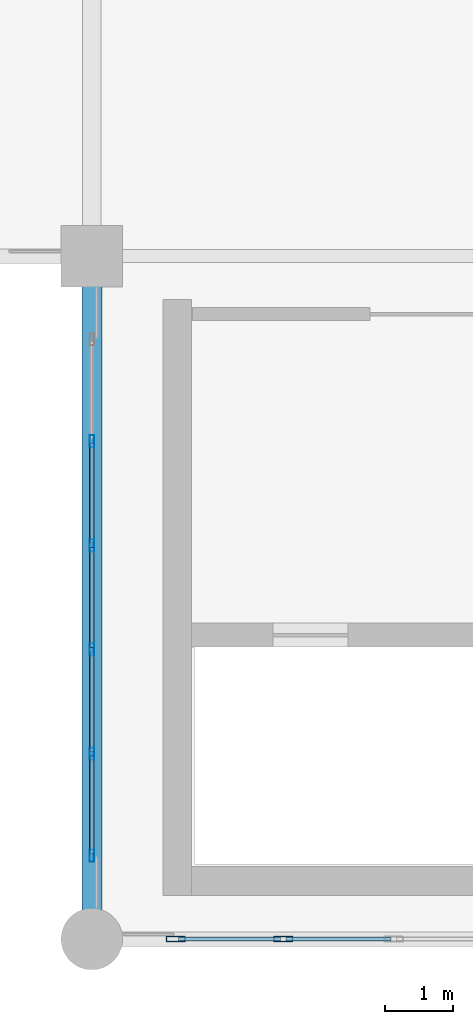
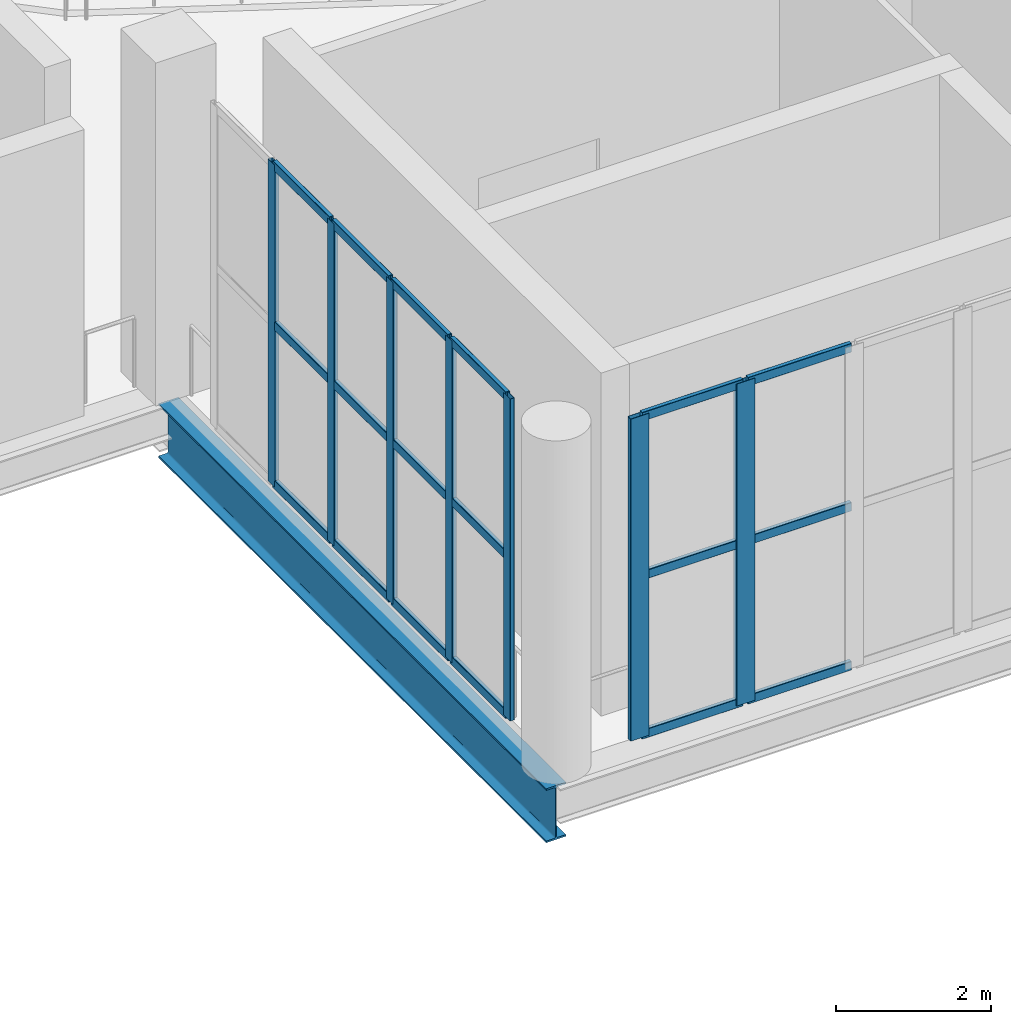
# One storey, part 6 of 74: 25 members, 1 beam, 2 elements without a shape of their own.
"""IFC4 building model written with IfcOpenShell, lengths in metres."""

from ifc_helpers import new_model, si_unit, direction, frame, origin, origin_2d, place, context, subcontext, project, spatial, hollow_rectangle, i_section, extrude, material, layer, layer_set, material_profile, profile_set, type_object, element, aggregate, save


model = new_model("IFC4")

# Units and contexts
model_context = context("Model", 3, precision=1e-05, world=origin(), true_north=direction((0.0, 1.0)))
body_context = subcontext(model_context, "Body", "Model", "MODEL_VIEW")
ifc_project = project(units=[si_unit("LENGTHUNIT", "METRE"), si_unit("AREAUNIT", "SQUARE_METRE"), si_unit("VOLUMEUNIT", "CUBIC_METRE"), si_unit("PLANEANGLEUNIT", "RADIAN"), si_unit("MASSUNIT", "GRAM", prefix="KILO")], contexts=[model_context])

# Site, building, storey
site_placement = place(None, origin())
site = spatial("IfcSite", under=ifc_project, at=site_placement, CompositionType="ELEMENT")
building_placement = place(site_placement, origin())
building = spatial("IfcBuilding", under=site, at=building_placement, Name="Brinegate Civic Arena", CompositionType="ELEMENT")
storey_placement = place(building_placement, frame((0.0, 0.0, 19.199951171875)))
storey = spatial("IfcBuildingStorey", under=building, at=storey_placement, Name="L04", CompositionType="ELEMENT", Elevation=19.199951171875)

# Curtain wall, members
ifc_material_1 = material(Name="Marine grade aluminium", Category="aluminium")
ifc_layer = layer(ifc_material_1, 0.25, Name="Marine grade aluminium")
ifc_layer_set = layer_set([ifc_layer], Name="Marine grade aluminium")
curtain_wall_type = type_object("IfcCurtainWallType", Name="CW-PORTAL-SOUTH-02", PredefinedType="USERDEFINED", material=ifc_layer_set)
curtain_wall_1_placement = place(storey_placement, origin())
curtain_wall_1 = element("IfcCurtainWall", 1, at=curtain_wall_1_placement, inside=storey, type_object=curtain_wall_type, Name="Curtain Wall CWA-150", ObjectType="PORTAL CURTAIN WALL", PredefinedType="USERDEFINED")
ifc_material_profile_1 = material_profile(ifc_material_1, hollow_rectangle(XDim=0.06494140625, YDim=0.179931640625, WallThickness=0.0048828125, InnerFilletRadius=0.00390625, OuterFilletRadius=0.008056640625, at=origin_2d()), Name="MUL65X180")
ifc_profile_set_1 = profile_set([ifc_material_profile_1], Name="Marine grade aluminium")
member_type_1 = type_object("IfcMemberType", Name="CW-MULLION-65X180", PredefinedType="MULLION", material=ifc_profile_set_1)
member_1_placement = place(storey_placement, frame((84.0, 1.218505859375, 0.0), z_axis=(0.0, 0.0, 1.0), x_axis=(-1.0, 0.0, 0.0)))
member_1 = element("IfcMember", 2, at=member_1_placement, type_object=member_type_1, Name="CWA-150 mullion 1", PredefinedType="MULLION", context=body_context, shape_type="SweptSolid", body=[
    extrude(hollow_rectangle(XDim=0.06494140625, YDim=0.179931640625, WallThickness=0.0048828125, InnerFilletRadius=0.00390625, OuterFilletRadius=0.008056640625, at=origin_2d()), origin(), (0.0, 0.0, 1.0), 5.070068359375),
])
member_2_placement = place(storey_placement, frame((84.0, 2.711669921875, 0.0), z_axis=(0.0, 0.0, 1.0), x_axis=(-1.0, 0.0, 0.0)))
member_2 = element("IfcMember", 3, at=member_2_placement, type_object=member_type_1, Name="CWA-150 mullion 2", PredefinedType="MULLION", context=body_context, shape_type="SweptSolid", body=[
    extrude(hollow_rectangle(XDim=0.06494140625, YDim=0.179931640625, WallThickness=0.0048828125, InnerFilletRadius=0.00390625, OuterFilletRadius=0.008056640625, at=origin_2d()), origin(), (0.0, 0.0, 1.0), 5.070068359375),
])
member_3_placement = place(storey_placement, frame((84.0, 4.2373046875, 0.0), z_axis=(0.0, 0.0, 1.0), x_axis=(-1.0, 0.0, 0.0)))
member_3 = element("IfcMember", 4, at=member_3_placement, type_object=member_type_1, Name="CWA-150 mullion 3", PredefinedType="MULLION", context=body_context, shape_type="SweptSolid", body=[
    extrude(hollow_rectangle(XDim=0.06494140625, YDim=0.179931640625, WallThickness=0.0048828125, InnerFilletRadius=0.00390625, OuterFilletRadius=0.008056640625, at=origin_2d()), origin(), (0.0, 0.0, 1.0), 5.070068359375),
])
member_4_placement = place(storey_placement, frame((84.0, 5.7626953125, 0.0), z_axis=(0.0, 0.0, 1.0), x_axis=(-1.0, 0.0, 0.0)))
member_4 = element("IfcMember", 5, at=member_4_placement, type_object=member_type_1, Name="CWA-150 mullion 4", PredefinedType="MULLION", context=body_context, shape_type="SweptSolid", body=[
    extrude(hollow_rectangle(XDim=0.06494140625, YDim=0.179931640625, WallThickness=0.0048828125, InnerFilletRadius=0.00390625, OuterFilletRadius=0.008056640625, at=origin_2d()), origin(), (0.0, 0.0, 1.0), 5.070068359375),
])
member_5_placement = place(storey_placement, frame((84.0, 7.288330078125, 0.0), z_axis=(0.0, 0.0, 1.0), x_axis=(-1.0, 0.0, 0.0)))
member_5 = element("IfcMember", 6, at=member_5_placement, type_object=member_type_1, Name="CWA-150 mullion 5", PredefinedType="MULLION", context=body_context, shape_type="SweptSolid", body=[
    extrude(hollow_rectangle(XDim=0.06494140625, YDim=0.179931640625, WallThickness=0.0048828125, InnerFilletRadius=0.00390625, OuterFilletRadius=0.008056640625, at=origin_2d()), origin(), (0.0, 0.0, 1.0), 5.070068359375),
])

curtain_wall_2_placement = place(storey_placement, origin())
curtain_wall_2 = element("IfcCurtainWall", 7, at=curtain_wall_2_placement, inside=storey, type_object=curtain_wall_type, Name="Curtain Wall CWA-145", ObjectType="PORTAL CURTAIN WALL", PredefinedType="USERDEFINED")
ifc_material_profile_2 = material_profile(ifc_material_1, hollow_rectangle(XDim=0.080078125, YDim=0.280029296875, WallThickness=0.007080078125, InnerFilletRadius=0.0048828125, OuterFilletRadius=0.010009765625, at=origin_2d()), Name="MUL80X280")
ifc_profile_set_2 = profile_set([ifc_material_profile_2], Name="Marine grade aluminium")
member_type_2 = type_object("IfcMemberType", Name="CW-MULLION-80X280", PredefinedType="MULLION", material=ifc_profile_set_2)
member_6_placement = place(storey_placement, frame((85.22607421875, 0.0, 0.0), z_axis=(0.0, 0.0, 1.0), x_axis=(0.0, 1.0, 0.0)))
member_6 = element("IfcMember", 8, at=member_6_placement, type_object=member_type_2, Name="CWA-145 mullion 1", PredefinedType="MULLION", context=body_context, shape_type="SweptSolid", body=[
    extrude(hollow_rectangle(XDim=0.080078125, YDim=0.280029296875, WallThickness=0.007080078125, InnerFilletRadius=0.0048828125, OuterFilletRadius=0.010009765625, at=origin_2d()), origin(), (0.0, 0.0, 1.0), 5.070068359375),
])
member_7_placement = place(storey_placement, frame((86.80224609375, 0.0, 0.0), z_axis=(0.0, 0.0, 1.0), x_axis=(0.0, 1.0, 0.0)))
member_7 = element("IfcMember", 9, at=member_7_placement, type_object=member_type_2, Name="CWA-145 mullion 2", PredefinedType="MULLION", context=body_context, shape_type="SweptSolid", body=[
    extrude(hollow_rectangle(XDim=0.080078125, YDim=0.280029296875, WallThickness=0.007080078125, InnerFilletRadius=0.0048828125, OuterFilletRadius=0.010009765625, at=origin_2d()), origin(), (0.0, 0.0, 1.0), 5.070068359375),
])
ifc_material_profile_3 = material_profile(ifc_material_1, hollow_rectangle(XDim=0.06494140625, YDim=0.139892578125, WallThickness=0.0048828125, InnerFilletRadius=0.00390625, OuterFilletRadius=0.008056640625, at=origin_2d()), Name="TRN65X140")
ifc_profile_set_3 = profile_set([ifc_material_profile_3], Name="Marine grade aluminium")
member_type_3 = type_object("IfcMemberType", Name="CW-TRANSOM-65X140", PredefinedType="USERDEFINED", material=ifc_profile_set_3)
member_8_placement = place(storey_placement, frame((85.26611328125, 0.0, 0.032470703125), z_axis=(1.0, 0.0, 0.0), x_axis=(0.0, 1.0, 0.0)))
member_8 = element("IfcMember", 10, at=member_8_placement, type_object=member_type_3, Name="CWA-145 transom 1.1", ObjectType="TRANSOM", PredefinedType="USERDEFINED", context=body_context, shape_type="SweptSolid", body=[
    extrude(hollow_rectangle(XDim=0.06494140625, YDim=0.139892578125, WallThickness=0.0048828125, InnerFilletRadius=0.00390625, OuterFilletRadius=0.008056640625, at=origin_2d()), origin(), (0.0, 0.0, 1.0), 1.496337890625),
])
member_9_placement = place(storey_placement, frame((85.26611328125, 0.0, 2.53515625), z_axis=(1.0, 0.0, 0.0), x_axis=(0.0, 1.0, 0.0)))
member_9 = element("IfcMember", 11, at=member_9_placement, type_object=member_type_3, Name="CWA-145 transom 1.2", ObjectType="TRANSOM", PredefinedType="USERDEFINED", context=body_context, shape_type="SweptSolid", body=[
    extrude(hollow_rectangle(XDim=0.06494140625, YDim=0.139892578125, WallThickness=0.0048828125, InnerFilletRadius=0.00390625, OuterFilletRadius=0.008056640625, at=origin_2d()), origin(), (0.0, 0.0, 1.0), 1.496337890625),
])
member_10_placement = place(storey_placement, frame((85.26611328125, 0.0, 5.03759765625), z_axis=(1.0, 0.0, 0.0), x_axis=(0.0, 1.0, 0.0)))
member_10 = element("IfcMember", 12, at=member_10_placement, type_object=member_type_3, Name="CWA-145 transom 1.3", ObjectType="TRANSOM", PredefinedType="USERDEFINED", context=body_context, shape_type="SweptSolid", body=[
    extrude(hollow_rectangle(XDim=0.06494140625, YDim=0.139892578125, WallThickness=0.0048828125, InnerFilletRadius=0.00390625, OuterFilletRadius=0.008056640625, at=origin_2d()), origin(), (0.0, 0.0, 1.0), 1.496337890625),
])
member_11_placement = place(storey_placement, frame((86.84228515625, 0.0, 0.032470703125), z_axis=(1.0, 0.0, 0.0), x_axis=(0.0, 1.0, 0.0)))
member_11 = element("IfcMember", 13, at=member_11_placement, type_object=member_type_3, Name="CWA-145 transom 2.1", ObjectType="TRANSOM", PredefinedType="USERDEFINED", context=body_context, shape_type="SweptSolid", body=[
    extrude(hollow_rectangle(XDim=0.06494140625, YDim=0.139892578125, WallThickness=0.0048828125, InnerFilletRadius=0.00390625, OuterFilletRadius=0.008056640625, at=origin_2d()), origin(), (0.0, 0.0, 1.0), 1.536376953125),
])
member_12_placement = place(storey_placement, frame((86.84228515625, 0.0, 2.53515625), z_axis=(1.0, 0.0, 0.0), x_axis=(0.0, 1.0, 0.0)))
member_12 = element("IfcMember", 14, at=member_12_placement, type_object=member_type_3, Name="CWA-145 transom 2.2", ObjectType="TRANSOM", PredefinedType="USERDEFINED", context=body_context, shape_type="SweptSolid", body=[
    extrude(hollow_rectangle(XDim=0.06494140625, YDim=0.139892578125, WallThickness=0.0048828125, InnerFilletRadius=0.00390625, OuterFilletRadius=0.008056640625, at=origin_2d()), origin(), (0.0, 0.0, 1.0), 1.536376953125),
])
member_13_placement = place(storey_placement, frame((86.84228515625, 0.0, 5.03759765625), z_axis=(1.0, 0.0, 0.0), x_axis=(0.0, 1.0, 0.0)))
member_13 = element("IfcMember", 15, at=member_13_placement, type_object=member_type_3, Name="CWA-145 transom 2.3", ObjectType="TRANSOM", PredefinedType="USERDEFINED", context=body_context, shape_type="SweptSolid", body=[
    extrude(hollow_rectangle(XDim=0.06494140625, YDim=0.139892578125, WallThickness=0.0048828125, InnerFilletRadius=0.00390625, OuterFilletRadius=0.008056640625, at=origin_2d()), origin(), (0.0, 0.0, 1.0), 1.536376953125),
])
aggregate(curtain_wall_2, [member_6, member_7, member_8, member_9, member_10, member_11, member_12, member_13])

# Member
member_14_placement = place(storey_placement, frame((84.0, 1.2509765625, 0.032470703125), z_axis=(0.0, 1.0, 0.0), x_axis=(-1.0, 0.0, 0.0)))
member_14 = element("IfcMember", 16, at=member_14_placement, type_object=member_type_3, Name="CWA-150 transom 1.1", ObjectType="TRANSOM", PredefinedType="USERDEFINED", context=body_context, shape_type="SweptSolid", body=[
    extrude(hollow_rectangle(XDim=0.06494140625, YDim=0.139892578125, WallThickness=0.0048828125, InnerFilletRadius=0.00390625, OuterFilletRadius=0.008056640625, at=origin_2d()), origin(), (0.0, 0.0, 1.0), 1.42822265625),
])

member_15_placement = place(storey_placement, frame((84.0, 1.2509765625, 2.53515625), z_axis=(0.0, 1.0, 0.0), x_axis=(-1.0, 0.0, 0.0)))
member_15 = element("IfcMember", 17, at=member_15_placement, type_object=member_type_3, Name="CWA-150 transom 1.2", ObjectType="TRANSOM", PredefinedType="USERDEFINED", context=body_context, shape_type="SweptSolid", body=[
    extrude(hollow_rectangle(XDim=0.06494140625, YDim=0.139892578125, WallThickness=0.0048828125, InnerFilletRadius=0.00390625, OuterFilletRadius=0.008056640625, at=origin_2d()), origin(), (0.0, 0.0, 1.0), 1.42822265625),
])

member_16_placement = place(storey_placement, frame((84.0, 1.2509765625, 5.03759765625), z_axis=(0.0, 1.0, 0.0), x_axis=(-1.0, 0.0, 0.0)))
member_16 = element("IfcMember", 18, at=member_16_placement, type_object=member_type_3, Name="CWA-150 transom 1.3", ObjectType="TRANSOM", PredefinedType="USERDEFINED", context=body_context, shape_type="SweptSolid", body=[
    extrude(hollow_rectangle(XDim=0.06494140625, YDim=0.139892578125, WallThickness=0.0048828125, InnerFilletRadius=0.00390625, OuterFilletRadius=0.008056640625, at=origin_2d()), origin(), (0.0, 0.0, 1.0), 1.42822265625),
])

member_17_placement = place(storey_placement, frame((84.0, 2.744140625, 0.032470703125), z_axis=(0.0, 1.0, 0.0), x_axis=(-1.0, 0.0, 0.0)))
member_17 = element("IfcMember", 19, at=member_17_placement, type_object=member_type_3, Name="CWA-150 transom 2.1", ObjectType="TRANSOM", PredefinedType="USERDEFINED", context=body_context, shape_type="SweptSolid", body=[
    extrude(hollow_rectangle(XDim=0.06494140625, YDim=0.139892578125, WallThickness=0.0048828125, InnerFilletRadius=0.00390625, OuterFilletRadius=0.008056640625, at=origin_2d()), origin(), (0.0, 0.0, 1.0), 1.46044921875),
])

member_18_placement = place(storey_placement, frame((84.0, 2.744140625, 2.53515625), z_axis=(0.0, 1.0, 0.0), x_axis=(-1.0, 0.0, 0.0)))
member_18 = element("IfcMember", 20, at=member_18_placement, type_object=member_type_3, Name="CWA-150 transom 2.2", ObjectType="TRANSOM", PredefinedType="USERDEFINED", context=body_context, shape_type="SweptSolid", body=[
    extrude(hollow_rectangle(XDim=0.06494140625, YDim=0.139892578125, WallThickness=0.0048828125, InnerFilletRadius=0.00390625, OuterFilletRadius=0.008056640625, at=origin_2d()), origin(), (0.0, 0.0, 1.0), 1.46044921875),
])

member_19_placement = place(storey_placement, frame((84.0, 2.744140625, 5.03759765625), z_axis=(0.0, 1.0, 0.0), x_axis=(-1.0, 0.0, 0.0)))
member_19 = element("IfcMember", 21, at=member_19_placement, type_object=member_type_3, Name="CWA-150 transom 2.3", ObjectType="TRANSOM", PredefinedType="USERDEFINED", context=body_context, shape_type="SweptSolid", body=[
    extrude(hollow_rectangle(XDim=0.06494140625, YDim=0.139892578125, WallThickness=0.0048828125, InnerFilletRadius=0.00390625, OuterFilletRadius=0.008056640625, at=origin_2d()), origin(), (0.0, 0.0, 1.0), 1.46044921875),
])

member_20_placement = place(storey_placement, frame((84.0, 4.269775390625, 0.032470703125), z_axis=(0.0, 1.0, 0.0), x_axis=(-1.0, 0.0, 0.0)))
member_20 = element("IfcMember", 22, at=member_20_placement, type_object=member_type_3, Name="CWA-150 transom 3.1", ObjectType="TRANSOM", PredefinedType="USERDEFINED", context=body_context, shape_type="SweptSolid", body=[
    extrude(hollow_rectangle(XDim=0.06494140625, YDim=0.139892578125, WallThickness=0.0048828125, InnerFilletRadius=0.00390625, OuterFilletRadius=0.008056640625, at=origin_2d()), origin(), (0.0, 0.0, 1.0), 1.46044921875),
])

member_21_placement = place(storey_placement, frame((84.0, 4.269775390625, 2.53515625), z_axis=(0.0, 1.0, 0.0), x_axis=(-1.0, 0.0, 0.0)))
member_21 = element("IfcMember", 23, at=member_21_placement, type_object=member_type_3, Name="CWA-150 transom 3.2", ObjectType="TRANSOM", PredefinedType="USERDEFINED", context=body_context, shape_type="SweptSolid", body=[
    extrude(hollow_rectangle(XDim=0.06494140625, YDim=0.139892578125, WallThickness=0.0048828125, InnerFilletRadius=0.00390625, OuterFilletRadius=0.008056640625, at=origin_2d()), origin(), (0.0, 0.0, 1.0), 1.46044921875),
])

member_22_placement = place(storey_placement, frame((84.0, 4.269775390625, 5.03759765625), z_axis=(0.0, 1.0, 0.0), x_axis=(-1.0, 0.0, 0.0)))
member_22 = element("IfcMember", 24, at=member_22_placement, type_object=member_type_3, Name="CWA-150 transom 3.3", ObjectType="TRANSOM", PredefinedType="USERDEFINED", context=body_context, shape_type="SweptSolid", body=[
    extrude(hollow_rectangle(XDim=0.06494140625, YDim=0.139892578125, WallThickness=0.0048828125, InnerFilletRadius=0.00390625, OuterFilletRadius=0.008056640625, at=origin_2d()), origin(), (0.0, 0.0, 1.0), 1.46044921875),
])

member_23_placement = place(storey_placement, frame((84.0, 5.79541015625, 0.032470703125), z_axis=(0.0, 1.0, 0.0), x_axis=(-1.0, 0.0, 0.0)))
member_23 = element("IfcMember", 25, at=member_23_placement, type_object=member_type_3, Name="CWA-150 transom 4.1", ObjectType="TRANSOM", PredefinedType="USERDEFINED", context=body_context, shape_type="SweptSolid", body=[
    extrude(hollow_rectangle(XDim=0.06494140625, YDim=0.139892578125, WallThickness=0.0048828125, InnerFilletRadius=0.00390625, OuterFilletRadius=0.008056640625, at=origin_2d()), origin(), (0.0, 0.0, 1.0), 1.46044921875),
])

member_24_placement = place(storey_placement, frame((84.0, 5.79541015625, 2.53515625), z_axis=(0.0, 1.0, 0.0), x_axis=(-1.0, 0.0, 0.0)))
member_24 = element("IfcMember", 26, at=member_24_placement, type_object=member_type_3, Name="CWA-150 transom 4.2", ObjectType="TRANSOM", PredefinedType="USERDEFINED", context=body_context, shape_type="SweptSolid", body=[
    extrude(hollow_rectangle(XDim=0.06494140625, YDim=0.139892578125, WallThickness=0.0048828125, InnerFilletRadius=0.00390625, OuterFilletRadius=0.008056640625, at=origin_2d()), origin(), (0.0, 0.0, 1.0), 1.46044921875),
])

member_25_placement = place(storey_placement, frame((84.0, 5.79541015625, 5.03759765625), z_axis=(0.0, 1.0, 0.0), x_axis=(-1.0, 0.0, 0.0)))
member_25 = element("IfcMember", 27, at=member_25_placement, type_object=member_type_3, Name="CWA-150 transom 4.3", ObjectType="TRANSOM", PredefinedType="USERDEFINED", context=body_context, shape_type="SweptSolid", body=[
    extrude(hollow_rectangle(XDim=0.06494140625, YDim=0.139892578125, WallThickness=0.0048828125, InnerFilletRadius=0.00390625, OuterFilletRadius=0.008056640625, at=origin_2d()), origin(), (0.0, 0.0, 1.0), 1.46044921875),
])

aggregate(curtain_wall_1, [member_1, member_2, member_3, member_4, member_5, member_14, member_15, member_16, member_17, member_18, member_19, member_20, member_21, member_22, member_23, member_24, member_25])

# Beam
ifc_material_2 = material(Name="Steel S355", Category="steel")
ifc_material_profile_4 = material_profile(ifc_material_2, i_section(OverallWidth=0.2939453125, OverallDepth=0.85107421875, WebThickness=0.01611328125, FlangeThickness=0.027099609375, FilletRadius=0.02197265625, at=origin_2d()), Name="W840X226")
ifc_profile_set_4 = profile_set([ifc_material_profile_4], Name="Steel S355")
beam_type = type_object("IfcBeamType", Name="GIRDER-W840X226", PredefinedType="BEAM", material=ifc_profile_set_4)
beam_placement = place(storey_placement, frame((84.0, 0.0, -0.764892578125), z_axis=(0.0, 1.0, 0.0), x_axis=(-1.0, 0.0, 0.0)))
element("IfcBeam", 28, at=beam_placement, inside=storey, type_object=beam_type, Name="Floor Girder BM-L04-GY-07-00", PredefinedType="BEAM", context=body_context, shape_type="SweptSolid", body=[
    extrude(i_section(OverallWidth=0.2939453125, OverallDepth=0.85107421875, WebThickness=0.01611328125, FlangeThickness=0.027099609375, FilletRadius=0.02197265625, at=origin_2d()), origin(), (0.0, 0.0, 1.0), 10.0),
])

save(model, "model.ifc")
